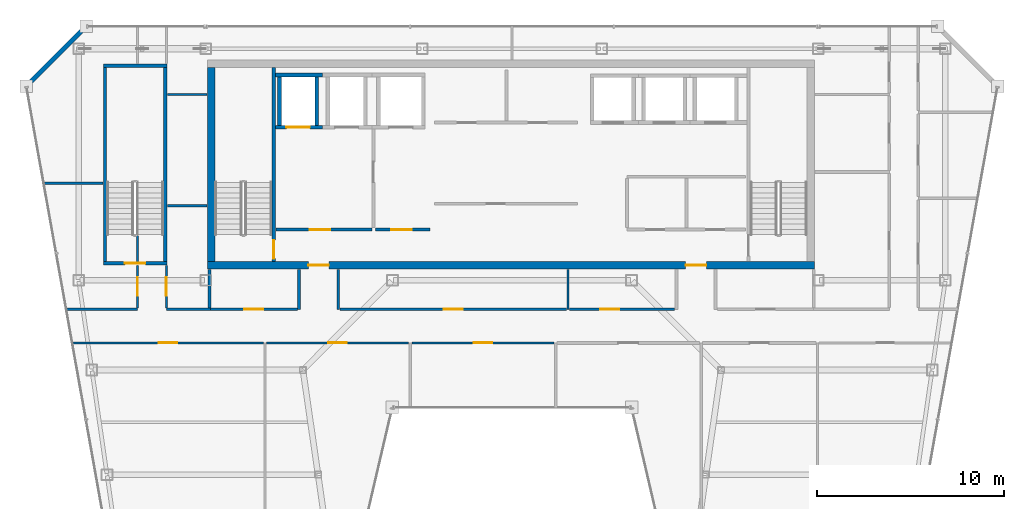
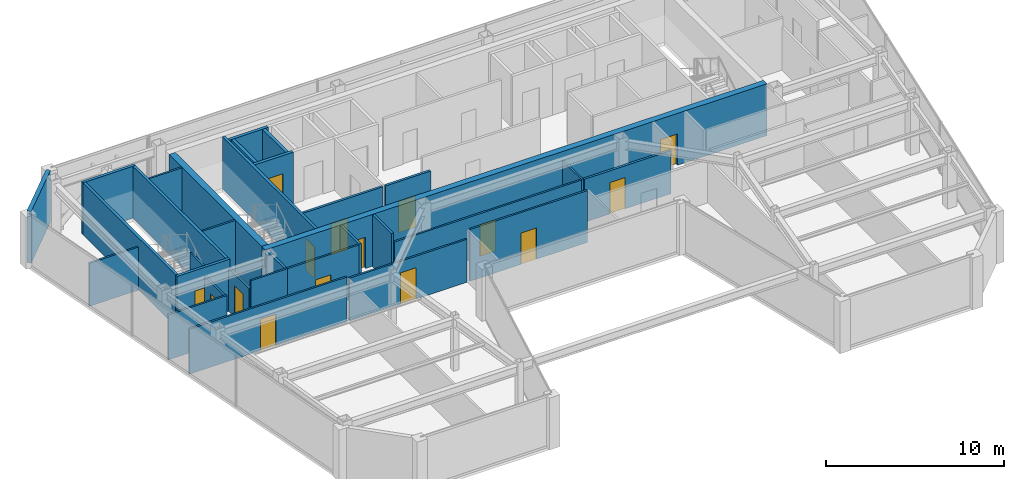
# One storey, part 27 of 32: 32 walls, 15 doors, 15 openings.
"""IFC4 building model written with IfcOpenShell, lengths in metres."""

from ifc_helpers import new_model, si_unit, direction, frame, frame_2d, origin, place, context, subcontext, project, spatial, rectangle, extrude, material, layer, layer_set, type_object, element, fill, save


model = new_model("IFC4")

# Units and contexts
model_context = context("Model", 3, precision=1e-05, world=origin(), true_north=direction((0.0, 1.0)))
body_context = subcontext(model_context, "Body", "Model", "MODEL_VIEW")
ifc_project = project(units=[si_unit("LENGTHUNIT", "METRE"), si_unit("AREAUNIT", "SQUARE_METRE"), si_unit("VOLUMEUNIT", "CUBIC_METRE"), si_unit("PLANEANGLEUNIT", "RADIAN"), si_unit("MASSUNIT", "GRAM", prefix="KILO")], contexts=[model_context])

# Site, building, storey
site_placement = place(None, origin())
site = spatial("IfcSite", under=ifc_project, at=site_placement, CompositionType="ELEMENT")
building_placement = place(site_placement, origin())
building = spatial("IfcBuilding", under=site, at=building_placement, Name="Saevonmaru Cultural Tower", CompositionType="ELEMENT")
storey_placement = place(building_placement, frame((0.0, 0.0, 261.0)))
storey = spatial("IfcBuildingStorey", under=building, at=storey_placement, Name="L61", CompositionType="ELEMENT", Elevation=261.0)

# Wall, openings, doors
ifc_material_1 = material(Name="Concrete C50/60", Category="concrete")
ifc_layer_1 = layer(ifc_material_1, 0.39990234375, Name="Concrete C50/60")
ifc_layer_set_1 = layer_set([ifc_layer_1], Name="Concrete C50/60")
wall_type_1 = type_object("IfcWallType", Name="WL-CORE-400", PredefinedType="SHEAR", material=ifc_layer_set_1)
wall_1_placement = place(storey_placement, frame((13.699951171875, 43.199951171875, 0.0), z_axis=(0.0, 0.0, 1.0), x_axis=(1.0, 0.0, 0.0)))
wall_1 = element("IfcWall", 1, at=wall_1_placement, inside=storey, type_object=wall_type_1, Name="L61 Tower RC core shear wall S", PredefinedType="SHEAR", context=body_context, shape_type="SweptSolid", body=[
    extrude(rectangle(XDim=32.5, YDim=0.39990234375, at=frame_2d((16.25, 0.0))), origin(), (0.0, 0.0, 1.0), 3.550048828125),
])
opening_1_placement = place(wall_1_placement, frame((5.39990234375, 0.0, 0.0)))
opening_1 = element("IfcOpeningElement", 2, at=opening_1_placement, cuts=wall_1, Name="Opening FD-2", PredefinedType="OPENING", context=body_context, shape_type="SweptSolid", body=[
    extrude(rectangle(XDim=1.10009765625, YDim=2.14990234375, at=frame_2d((0.550048828125, 1.074951171875))), frame((0.0, 0.2099609375, 0.0), z_axis=(0.0, -1.0, 0.0), x_axis=(1.0, 0.0, 0.0)), (0.0, 0.0, 1.0), 0.419921875),
])
opening_2_placement = place(wall_1_placement, frame((25.60009765625, 0.0, 0.0)))
opening_2 = element("IfcOpeningElement", 3, at=opening_2_placement, cuts=wall_1, Name="Opening FD-2", PredefinedType="OPENING", context=body_context, shape_type="SweptSolid", body=[
    extrude(rectangle(XDim=1.10009765625, YDim=2.14990234375, at=frame_2d((0.550048828125, 1.074951171875))), frame((0.0, 0.2099609375, 0.0), z_axis=(0.0, -1.0, 0.0), x_axis=(1.0, 0.0, 0.0)), (0.0, 0.0, 1.0), 0.419921875),
])
ifc_material_2 = material(Name="Satin Bronze Anodised Aluminium", Category="aluminium")
door_type_1 = type_object("IfcDoorType", Name="DR-FD60-1100", OperationType="SINGLE_SWING_LEFT", PredefinedType="DOOR", material=ifc_material_2)
door_1_placement = place(opening_1_placement, origin())
door_1 = element("IfcDoor", 4, at=door_1_placement, inside=storey, type_object=door_type_1, Name="L61 Core West Lobby Fire Door", OperationType="SINGLE_SWING_LEFT", OverallHeight=2.14990234375, OverallWidth=1.10009765625, PredefinedType="DOOR", context=body_context, shape_type="SweptSolid", body=[
    extrude(rectangle(XDim=1.10009765625, YDim=2.14990234375, at=frame_2d((0.550048828125, 1.074951171875))), frame((0.0, 0.02490234375, 0.0), z_axis=(0.0, -1.0, 0.0), x_axis=(1.0, 0.0, 0.0)), (0.0, 0.0, 1.0), 0.050048828125),
])
fill(opening_1, door_1)
door_2_placement = place(opening_2_placement, origin())
door_2 = element("IfcDoor", 5, at=door_2_placement, inside=storey, type_object=door_type_1, Name="L61 Core East Lobby Fire Door", OperationType="SINGLE_SWING_LEFT", OverallHeight=2.14990234375, OverallWidth=1.10009765625, PredefinedType="DOOR", context=body_context, shape_type="SweptSolid", body=[
    extrude(rectangle(XDim=1.10009765625, YDim=2.14990234375, at=frame_2d((0.550048828125, 1.074951171875))), frame((0.0, 0.02490234375, 0.0), z_axis=(0.0, -1.0, 0.0), x_axis=(1.0, 0.0, 0.0)), (0.0, 0.0, 1.0), 0.050048828125),
])
fill(opening_2, door_2)

# Wall
wall_2_placement = place(storey_placement, frame((13.89990234375, 43.39990234375, 0.0), z_axis=(0.0, 0.0, 1.0), x_axis=(0.0, 1.0, 0.0)))
element("IfcWall", 6, at=wall_2_placement, inside=storey, type_object=wall_type_1, Name="L61 Tower RC core shear wall W", PredefinedType="SHEAR", context=body_context, shape_type="SweptSolid", body=[
    extrude(rectangle(XDim=10.400146484375, YDim=0.39990234375, at=frame_2d((5.2001953125, 0.0))), origin(), (0.0, 0.0, 1.0), 3.550048828125),
])

# Wall, opening, door
ifc_material_3 = material(Name="Gypsum Fireboard Partition", Category="gypsum")
ifc_layer_2 = layer(ifc_material_3, 0.14990234375, Name="Gypsum Fireboard Partition")
ifc_layer_set_2 = layer_set([ifc_layer_2], Name="Gypsum Fireboard Partition")
wall_type_2 = type_object("IfcWallType", Name="WL-CORE-PART-150", PredefinedType="PARTITIONING", material=ifc_layer_set_2)
wall_3_placement = place(storey_placement, frame((17.360107421875, 45.1201171875, 0.0), z_axis=(0.0, 0.0, 1.0), x_axis=(1.0, 0.0, 0.0)))
wall_3 = element("IfcWall", 7, at=wall_3_placement, inside=storey, type_object=wall_type_2, Name="L61 Firefighting Lift Lobby South Wall", PredefinedType="PARTITIONING", context=body_context, shape_type="SweptSolid", body=[
    extrude(rectangle(XDim=5.139892578125, YDim=0.14990234375, at=frame_2d((2.56982421875, 0.0))), origin(), (0.0, 0.0, 1.0), 3.550048828125),
])
opening_3_placement = place(wall_3_placement, frame((1.800048828125, 0.0, 0.0)))
opening_3 = element("IfcOpeningElement", 8, at=opening_3_placement, cuts=wall_3, Name="Opening FD-2", PredefinedType="OPENING", context=body_context, shape_type="SweptSolid", body=[
    extrude(rectangle(XDim=1.10009765625, YDim=2.14990234375, at=frame_2d((0.550048828125, 1.074951171875))), frame((0.0, 0.0849609375, 0.0), z_axis=(0.0, -1.0, 0.0), x_axis=(1.0, 0.0, 0.0)), (0.0, 0.0, 1.0), 0.169921875),
])
door_3_placement = place(opening_3_placement, origin())
door_3 = element("IfcDoor", 9, at=door_3_placement, inside=storey, type_object=door_type_1, Name="L61 Firefighting Lift Lobby South Door", OperationType="SINGLE_SWING_LEFT", OverallHeight=2.14990234375, OverallWidth=1.10009765625, PredefinedType="DOOR", context=body_context, shape_type="SweptSolid", body=[
    extrude(rectangle(XDim=1.10009765625, YDim=2.14990234375, at=frame_2d((0.550048828125, 1.074951171875))), frame((0.0, 0.02490234375, 0.0), z_axis=(0.0, -1.0, 0.0), x_axis=(1.0, 0.0, 0.0)), (0.0, 0.0, 1.0), 0.050048828125),
])
fill(opening_3, door_3)

wall_4_placement = place(storey_placement, frame((22.679931640625, 45.1201171875, 0.0), z_axis=(0.0, 0.0, 1.0), x_axis=(1.0, 0.0, 0.0)))
wall_4 = element("IfcWall", 10, at=wall_4_placement, inside=storey, type_object=wall_type_2, Name="L61 Service Lift Vestibule Wall", PredefinedType="PARTITIONING", context=body_context, shape_type="SweptSolid", body=[
    extrude(rectangle(XDim=2.920166015625, YDim=0.14990234375, at=frame_2d((1.4599609375, 0.0))), origin(), (0.0, 0.0, 1.0), 3.550048828125),
])
opening_4_placement = place(wall_4_placement, frame((0.85009765625, 0.0, 0.0)))
opening_4 = element("IfcOpeningElement", 11, at=opening_4_placement, cuts=wall_4, Name="Opening FD-2", PredefinedType="OPENING", context=body_context, shape_type="SweptSolid", body=[
    extrude(rectangle(XDim=1.10009765625, YDim=2.14990234375, at=frame_2d((0.550048828125, 1.074951171875))), frame((0.0, 0.0849609375, 0.0), z_axis=(0.0, -1.0, 0.0), x_axis=(1.0, 0.0, 0.0)), (0.0, 0.0, 1.0), 0.169921875),
])
door_4_placement = place(opening_4_placement, origin())
door_4 = element("IfcDoor", 12, at=door_4_placement, inside=storey, type_object=door_type_1, Name="L61 Service Lift Vestibule Door", OperationType="SINGLE_SWING_LEFT", OverallHeight=2.14990234375, OverallWidth=1.10009765625, PredefinedType="DOOR", context=body_context, shape_type="SweptSolid", body=[
    extrude(rectangle(XDim=1.10009765625, YDim=2.14990234375, at=frame_2d((0.550048828125, 1.074951171875))), frame((0.0, 0.02490234375, 0.0), z_axis=(0.0, -1.0, 0.0), x_axis=(1.0, 0.0, 0.0)), (0.0, 0.0, 1.0), 0.050048828125),
])
fill(opening_4, door_4)

# Walls
ifc_material_4 = material(Name="Granite-Clad Precast Concrete C40/50", Category="masonry")
ifc_layer_3 = layer(ifc_material_4, 0.260009765625, Name="Granite-Clad Precast Concrete C40/50")
ifc_layer_set_3 = layer_set([ifc_layer_3], Name="Granite-Clad Precast Concrete C40/50")
wall_type_3 = type_object("IfcWallType", Name="WL-EXT-SPANDREL-260", PredefinedType="STANDARD", material=ifc_layer_set_3)
wall_5_placement = place(storey_placement, frame((7.0869140625, 55.886962890625, 0.0), z_axis=(0.0, 0.0, 1.0), x_axis=(-0.707106781187, -0.707106781187, 0.0)))
element("IfcWall", 13, at=wall_5_placement, inside=storey, type_object=wall_type_3, Name="L61 Chamfer Corner Spandrel Wall E11", PredefinedType="STANDARD", context=body_context, shape_type="SweptSolid", body=[
    extrude(rectangle(XDim=4.205810546875, YDim=0.260009765625, at=frame_2d((2.10302734375, 0.0))), origin(), (0.0, 0.0, 1.0), 3.550048828125),
])
ifc_layer_4 = layer(ifc_material_3, 0.14990234375, Name="Gypsum Fireboard Partition")
ifc_layer_set_4 = layer_set([ifc_layer_4], Name="Gypsum Fireboard Partition")
wall_type_4 = type_object("IfcWallType", Name="WL-PART-FIRE-150", PredefinedType="PARTITIONING", material=ifc_layer_set_4)
wall_6_placement = place(storey_placement, frame((13.800048828125, 40.929931640625, 0.0), z_axis=(0.0, 0.0, 1.0), x_axis=(0.0, 1.0, 0.0)))
element("IfcWall", 14, at=wall_6_placement, inside=storey, type_object=wall_type_4, Name="L61 Core Portal Side Wall W0", PredefinedType="PARTITIONING", context=body_context, shape_type="SweptSolid", body=[
    extrude(rectangle(XDim=2.050048828125, YDim=0.14990234375, at=frame_2d((1.02490234375, 0.0))), origin(), (0.0, 0.0, 1.0), 3.550048828125),
])
for number, where, z_axis, x_axis, name in (
    (15, (18.60009765625, 40.85009765625, 0.0), (0.0, 0.0, 1.0), (0.0, 1.0, 0.0), "L61 Core Portal Side Wall W1"),
    (16, (20.699951171875, 40.85009765625, 0.0), (0.0, 0.0, 1.0), (0.0, 1.0, 0.0), "L61 Core Portal Side Wall W2"),
):
    element("IfcWall", number, at=place(storey_placement, frame(where, z_axis=z_axis, x_axis=x_axis)), inside=storey, type_object=wall_type_4, Name=name, PredefinedType="PARTITIONING", context=body_context, shape_type="SweptSolid", body=[
        extrude(rectangle(XDim=2.1298828125, YDim=0.14990234375, at=frame_2d((1.06494140625, 0.0))), origin(), (0.0, 0.0, 1.0), 3.550048828125),
    ])

# Wall, opening, door
wall_7_placement = place(storey_placement, frame((33.080078125, 40.85009765625, 0.0), z_axis=(0.0, 0.0, 1.0), x_axis=(1.0, 0.0, 0.0)))
wall_7 = element("IfcWall", 17, at=wall_7_placement, inside=storey, type_object=wall_type_4, Name="L61 Acoustic Chamber Auditorium Corridor Wall", PredefinedType="PARTITIONING", context=body_context, shape_type="SweptSolid", body=[
    extrude(rectangle(XDim=5.625, YDim=0.14990234375, at=frame_2d((2.8125, 0.0))), origin(), (0.0, 0.0, 1.0), 2.947021484375),
])
opening_5_placement = place(wall_7_placement, frame((1.652099609375, 0.0, 0.0)))
opening_5 = element("IfcOpeningElement", 18, at=opening_5_placement, cuts=wall_7, Name="Opening ID-1B", PredefinedType="OPENING", context=body_context, shape_type="SweptSolid", body=[
    extrude(rectangle(XDim=1.0, YDim=2.14990234375, at=frame_2d((0.5, 1.074951171875))), frame((0.0, 0.0849609375, 0.0), z_axis=(0.0, -1.0, 0.0), x_axis=(1.0, 0.0, 0.0)), (0.0, 0.0, 1.0), 0.169921875),
])
ifc_material_5 = material(Name="Acoustic Stained Oak Timber", Category="wood")
door_type_2 = type_object("IfcDoorType", Name="DR-INT-1000", OperationType="SINGLE_SWING_RIGHT", PredefinedType="DOOR", material=ifc_material_5)
door_5_placement = place(opening_5_placement, origin())
door_5 = element("IfcDoor", 19, at=door_5_placement, inside=storey, type_object=door_type_2, Name="L61 Acoustic Chamber Auditorium Door", OperationType="SINGLE_SWING_RIGHT", OverallHeight=2.14990234375, OverallWidth=1.0, PredefinedType="DOOR", context=body_context, shape_type="SweptSolid", body=[
    extrude(rectangle(XDim=1.0, YDim=2.14990234375, at=frame_2d((0.5, 1.074951171875))), frame((0.0, 0.02490234375, 0.0), z_axis=(0.0, -1.0, 0.0), x_axis=(1.0, 0.0, 0.0)), (0.0, 0.0, 1.0), 0.050048828125),
])
fill(opening_5, door_5)

# Walls
ifc_layer_5 = layer(ifc_material_3, 0.1201171875, Name="Gypsum Fireboard Partition")
ifc_layer_set_5 = layer_set([ifc_layer_5], Name="Gypsum Fireboard Partition")
wall_type_5 = type_object("IfcWallType", Name="WL-PART-GYP-120", PredefinedType="PARTITIONING", material=ifc_layer_set_5)
wall_8_placement = place(storey_placement, frame((6.143310546875, 40.85009765625, 0.0), z_axis=(0.0, 0.0, 1.0), x_axis=(1.0, 0.0, 0.0)))
element("IfcWall", 20, at=wall_8_placement, inside=storey, type_object=wall_type_5, Name="L61 NW Wing South Wall", PredefinedType="PARTITIONING", context=body_context, shape_type="SweptSolid", body=[
    extrude(rectangle(XDim=3.806640625, YDim=0.1201171875, at=frame_2d((1.9033203125, 0.0))), origin(), (0.0, 0.0, 1.0), 3.0849609375),
])
wall_9_placement = place(storey_placement, frame((11.5, 40.85009765625, 0.0), z_axis=(0.0, 0.0, 1.0), x_axis=(1.0, 0.0, 0.0)))
element("IfcWall", 21, at=wall_9_placement, inside=storey, type_object=wall_type_5, Name="L61 NW Inner South Wall", PredefinedType="PARTITIONING", context=body_context, shape_type="SweptSolid", body=[
    extrude(rectangle(XDim=2.35009765625, YDim=0.1201171875, at=frame_2d((1.175048828125, 0.0))), origin(), (0.0, 0.0, 1.0), 3.550048828125),
])
wall_10_placement = place(storey_placement, frame((11.550048828125, 52.35009765625, 0.0), z_axis=(0.0, 0.0, 1.0), x_axis=(1.0, 0.0, 0.0)))
element("IfcWall", 22, at=wall_10_placement, inside=storey, type_object=wall_type_5, Name="L61 North-West Panorama South Wall", PredefinedType="PARTITIONING", context=body_context, shape_type="SweptSolid", body=[
    extrude(rectangle(XDim=2.1298828125, YDim=0.1201171875, at=frame_2d((1.06494140625, 0.0))), origin(), (0.0, 0.0, 1.0), 3.550048828125),
])
wall_11_placement = place(storey_placement, frame((4.935546875, 47.60009765625, 0.0), z_axis=(0.0, 0.0, 1.0), x_axis=(1.0, 0.0, 0.0)))
element("IfcWall", 23, at=wall_11_placement, inside=storey, type_object=wall_type_5, Name="L61 NW Studio Divider 1", PredefinedType="PARTITIONING", context=body_context, shape_type="SweptSolid", body=[
    extrude(rectangle(XDim=3.16455078125, YDim=0.1201171875, at=frame_2d((1.582275390625, 0.0))), origin(), (0.0, 0.0, 1.0), 2.947021484375),
])

# Wall, opening, door
wall_12_placement = place(storey_placement, frame((9.949951171875, 40.929931640625, 0.0), z_axis=(0.0, 0.0, 1.0), x_axis=(0.0, 1.0, 0.0)))
wall_12 = element("IfcWall", 24, at=wall_12_placement, inside=storey, type_object=wall_type_5, Name="L61 Museum Espresso Cafe Corridor Wall", PredefinedType="PARTITIONING", context=body_context, shape_type="SweptSolid", body=[
    extrude(rectangle(XDim=2.27001953125, YDim=0.1201171875, at=frame_2d((1.135009765625, 0.0))), origin(), (0.0, 0.0, 1.0), 2.947021484375),
])
opening_6_placement = place(wall_12_placement, frame((0.635009765625, 0.0, 0.0)))
opening_6 = element("IfcOpeningElement", 25, at=opening_6_placement, cuts=wall_12, Name="Opening ID-1B", PredefinedType="OPENING", context=body_context, shape_type="SweptSolid", body=[
    extrude(rectangle(XDim=1.0, YDim=2.14990234375, at=frame_2d((0.5, 1.074951171875))), frame((0.0, 0.070068359375, 0.0), z_axis=(0.0, -1.0, 0.0), x_axis=(1.0, 0.0, 0.0)), (0.0, 0.0, 1.0), 0.14013671875),
])
door_6_placement = place(opening_6_placement, origin())
door_6 = element("IfcDoor", 26, at=door_6_placement, inside=storey, type_object=door_type_2, Name="L61 Museum Espresso Cafe Door", OperationType="SINGLE_SWING_LEFT", OverallHeight=2.14990234375, OverallWidth=1.0, PredefinedType="DOOR", context=body_context, shape_type="SweptSolid", body=[
    extrude(rectangle(XDim=1.0, YDim=2.14990234375, at=frame_2d((0.5, 1.074951171875))), frame((0.0, 0.02490234375, 0.0), z_axis=(0.0, -1.0, 0.0), x_axis=(1.0, 0.0, 0.0)), (0.0, 0.0, 1.0), 0.050048828125),
])
fill(opening_6, door_6)

# Walls
wall_13_placement = place(storey_placement, frame((9.949951171875, 43.419921875, 0.0), z_axis=(0.0, 0.0, 1.0), x_axis=(0.0, 1.0, 0.0)))
element("IfcWall", 27, at=wall_13_placement, inside=storey, type_object=wall_type_5, Name="L61 Museum Espresso Cafe Corridor Wall (2)", PredefinedType="PARTITIONING", context=body_context, shape_type="SweptSolid", body=[
    extrude(rectangle(XDim=1.4501953125, YDim=0.1201171875, at=frame_2d((0.72509765625, 0.0))), origin(), (0.0, 0.0, 1.0), 3.550048828125),
])
wall_14_placement = place(storey_placement, frame((11.550048828125, 46.39990234375, 0.0), z_axis=(0.0, 0.0, 1.0), x_axis=(1.0, 0.0, 0.0)))
element("IfcWall", 28, at=wall_14_placement, inside=storey, type_object=wall_type_5, Name="L61 NW Inner Divider", PredefinedType="PARTITIONING", context=body_context, shape_type="SweptSolid", body=[
    extrude(rectangle(XDim=2.1298828125, YDim=0.1201171875, at=frame_2d((1.06494140625, 0.0))), origin(), (0.0, 0.0, 1.0), 3.550048828125),
])

# Wall, opening, door
wall_15_placement = place(storey_placement, frame((11.5, 40.929931640625, 0.0), z_axis=(0.0, 0.0, 1.0), x_axis=(0.0, 1.0, 0.0)))
wall_15 = element("IfcWall", 29, at=wall_15_placement, inside=storey, type_object=wall_type_5, Name="L61 Panoramic Salon Restaurant Corridor Wall", PredefinedType="PARTITIONING", context=body_context, shape_type="SweptSolid", body=[
    extrude(rectangle(XDim=2.27001953125, YDim=0.1201171875, at=frame_2d((1.135009765625, 0.0))), origin(), (0.0, 0.0, 1.0), 2.947021484375),
])
opening_7_placement = place(wall_15_placement, frame((0.635009765625, 0.0, 0.0)))
opening_7 = element("IfcOpeningElement", 30, at=opening_7_placement, cuts=wall_15, Name="Opening ID-1B", PredefinedType="OPENING", context=body_context, shape_type="SweptSolid", body=[
    extrude(rectangle(XDim=1.0, YDim=2.14990234375, at=frame_2d((0.5, 1.074951171875))), frame((0.0, 0.070068359375, 0.0), z_axis=(0.0, -1.0, 0.0), x_axis=(1.0, 0.0, 0.0)), (0.0, 0.0, 1.0), 0.14013671875),
])
door_7_placement = place(opening_7_placement, origin())
door_7 = element("IfcDoor", 31, at=door_7_placement, inside=storey, type_object=door_type_2, Name="L61 Panoramic Salon Restaurant Door", OperationType="SINGLE_SWING_RIGHT", OverallHeight=2.14990234375, OverallWidth=1.0, PredefinedType="DOOR", context=body_context, shape_type="SweptSolid", body=[
    extrude(rectangle(XDim=1.0, YDim=2.14990234375, at=frame_2d((0.5, 1.074951171875))), frame((0.0, 0.02490234375, 0.0), z_axis=(0.0, -1.0, 0.0), x_axis=(1.0, 0.0, 0.0)), (0.0, 0.0, 1.0), 0.050048828125),
])
fill(opening_7, door_7)

wall_16_placement = place(storey_placement, frame((13.85009765625, 40.85009765625, 0.0), z_axis=(0.0, 0.0, 1.0), x_axis=(1.0, 0.0, 0.0)))
wall_16 = element("IfcWall", 32, at=wall_16_placement, inside=storey, type_object=wall_type_5, Name="L61 Museum Espresso Cafe Corridor Wall", PredefinedType="PARTITIONING", context=body_context, shape_type="SweptSolid", body=[
    extrude(rectangle(XDim=4.65478515625, YDim=0.1201171875, at=frame_2d((2.327392578125, 0.0))), origin(), (0.0, 0.0, 1.0), 3.550048828125),
])
opening_8_placement = place(wall_16_placement, frame((1.826904296875, 0.0, 0.0)))
opening_8 = element("IfcOpeningElement", 33, at=opening_8_placement, cuts=wall_16, Name="Opening ID-1B", PredefinedType="OPENING", context=body_context, shape_type="SweptSolid", body=[
    extrude(rectangle(XDim=1.0, YDim=2.14990234375, at=frame_2d((0.5, 1.074951171875))), frame((0.0, 0.070068359375, 0.0), z_axis=(0.0, -1.0, 0.0), x_axis=(1.0, 0.0, 0.0)), (0.0, 0.0, 1.0), 0.14013671875),
])
door_8_placement = place(opening_8_placement, origin())
door_8 = element("IfcDoor", 34, at=door_8_placement, inside=storey, type_object=door_type_2, Name="L61 Museum Espresso Cafe Door", OperationType="SINGLE_SWING_RIGHT", OverallHeight=2.14990234375, OverallWidth=1.0, PredefinedType="DOOR", context=body_context, shape_type="SweptSolid", body=[
    extrude(rectangle(XDim=1.0, YDim=2.14990234375, at=frame_2d((0.5, 1.074951171875))), frame((0.0, 0.02490234375, 0.0), z_axis=(0.0, -1.0, 0.0), x_axis=(1.0, 0.0, 0.0)), (0.0, 0.0, 1.0), 0.050048828125),
])
fill(opening_8, door_8)

# Wall
wall_17_placement = place(storey_placement, frame((33.0, 40.85009765625, 0.0), z_axis=(0.0, 0.0, 1.0), x_axis=(0.0, 1.0, 0.0)))
element("IfcWall", 35, at=wall_17_placement, inside=storey, type_object=wall_type_5, Name="L61 Spine Alcove Split", PredefinedType="PARTITIONING", context=body_context, shape_type="SweptSolid", body=[
    extrude(rectangle(XDim=2.1298828125, YDim=0.1201171875, at=frame_2d((1.06494140625, 0.0))), origin(), (0.0, 0.0, 1.0), 2.947021484375),
])

# Wall, opening, door
wall_18_placement = place(storey_placement, frame((20.794921875, 40.85009765625, 0.0), z_axis=(0.0, 0.0, 1.0), x_axis=(1.0, 0.0, 0.0)))
wall_18 = element("IfcWall", 36, at=wall_18_placement, inside=storey, type_object=wall_type_5, Name="L61 Museum Espresso Cafe Corridor Wall", PredefinedType="PARTITIONING", context=body_context, shape_type="SweptSolid", body=[
    extrude(rectangle(XDim=12.125, YDim=0.1201171875, at=frame_2d((6.0625, 0.0))), origin(), (0.0, 0.0, 1.0), 2.947021484375),
])
opening_9_placement = place(wall_18_placement, frame((5.56201171875, 0.0, 0.0)))
opening_9 = element("IfcOpeningElement", 37, at=opening_9_placement, cuts=wall_18, Name="Opening ID-1B", PredefinedType="OPENING", context=body_context, shape_type="SweptSolid", body=[
    extrude(rectangle(XDim=1.0, YDim=2.14990234375, at=frame_2d((0.5, 1.074951171875))), frame((0.0, 0.070068359375, 0.0), z_axis=(0.0, -1.0, 0.0), x_axis=(1.0, 0.0, 0.0)), (0.0, 0.0, 1.0), 0.14013671875),
])
door_9_placement = place(opening_9_placement, origin())
door_9 = element("IfcDoor", 38, at=door_9_placement, inside=storey, type_object=door_type_2, Name="L61 Museum Espresso Cafe Door", OperationType="SINGLE_SWING_LEFT", OverallHeight=2.14990234375, OverallWidth=1.0, PredefinedType="DOOR", context=body_context, shape_type="SweptSolid", body=[
    extrude(rectangle(XDim=1.0, YDim=2.14990234375, at=frame_2d((0.5, 1.074951171875))), frame((0.0, 0.02490234375, 0.0), z_axis=(0.0, -1.0, 0.0), x_axis=(1.0, 0.0, 0.0)), (0.0, 0.0, 1.0), 0.050048828125),
])
fill(opening_9, door_9)

wall_19_placement = place(storey_placement, frame((6.465576171875, 39.050048828125, 0.0), z_axis=(0.0, 0.0, 1.0), x_axis=(1.0, 0.0, 0.0)))
wall_19 = element("IfcWall", 39, at=wall_19_placement, inside=storey, type_object=wall_type_5, Name="L61 Museum Espresso Cafe Corridor Wall", PredefinedType="PARTITIONING", context=body_context, shape_type="SweptSolid", body=[
    extrude(rectangle(XDim=10.224365234375, YDim=0.1201171875, at=frame_2d((5.1123046875, 0.0))), origin(), (0.0, 0.0, 1.0), 3.0849609375),
])
opening_10_placement = place(wall_19_placement, frame((4.612060546875, 0.0, 0.0)))
opening_10 = element("IfcOpeningElement", 40, at=opening_10_placement, cuts=wall_19, Name="Opening ID-1B", PredefinedType="OPENING", context=body_context, shape_type="SweptSolid", body=[
    extrude(rectangle(XDim=1.0, YDim=2.14990234375, at=frame_2d((0.5, 1.074951171875))), frame((0.0, 0.070068359375, 0.0), z_axis=(0.0, -1.0, 0.0), x_axis=(1.0, 0.0, 0.0)), (0.0, 0.0, 1.0), 0.14013671875),
])
door_10_placement = place(opening_10_placement, origin())
door_10 = element("IfcDoor", 41, at=door_10_placement, inside=storey, type_object=door_type_2, Name="L61 Museum Espresso Cafe Door", OperationType="SINGLE_SWING_RIGHT", OverallHeight=2.14990234375, OverallWidth=1.0, PredefinedType="DOOR", context=body_context, shape_type="SweptSolid", body=[
    extrude(rectangle(XDim=1.0, YDim=2.14990234375, at=frame_2d((0.5, 1.074951171875))), frame((0.0, 0.02490234375, 0.0), z_axis=(0.0, -1.0, 0.0), x_axis=(1.0, 0.0, 0.0)), (0.0, 0.0, 1.0), 0.050048828125),
])
fill(opening_10, door_10)

wall_20_placement = place(storey_placement, frame((16.85009765625, 39.050048828125, 0.0), z_axis=(0.0, 0.0, 1.0), x_axis=(1.0, 0.0, 0.0)))
wall_20 = element("IfcWall", 42, at=wall_20_placement, inside=storey, type_object=wall_type_5, Name="L61 Panoramic Salon Restaurant Corridor Wall", PredefinedType="PARTITIONING", context=body_context, shape_type="SweptSolid", body=[
    extrude(rectangle(XDim=7.6123046875, YDim=0.1201171875, at=frame_2d((3.80615234375, 0.0))), origin(), (0.0, 0.0, 1.0), 2.947021484375),
])
opening_11_placement = place(wall_20_placement, frame((3.305908203125, 0.0, 0.0)))
opening_11 = element("IfcOpeningElement", 43, at=opening_11_placement, cuts=wall_20, Name="Opening ID-1B", PredefinedType="OPENING", context=body_context, shape_type="SweptSolid", body=[
    extrude(rectangle(XDim=1.0, YDim=2.14990234375, at=frame_2d((0.5, 1.074951171875))), frame((0.0, 0.070068359375, 0.0), z_axis=(0.0, -1.0, 0.0), x_axis=(1.0, 0.0, 0.0)), (0.0, 0.0, 1.0), 0.14013671875),
])
door_11_placement = place(opening_11_placement, origin())
door_11 = element("IfcDoor", 44, at=door_11_placement, inside=storey, type_object=door_type_2, Name="L61 Panoramic Salon Restaurant Door", OperationType="SINGLE_SWING_LEFT", OverallHeight=2.14990234375, OverallWidth=1.0, PredefinedType="DOOR", context=body_context, shape_type="SweptSolid", body=[
    extrude(rectangle(XDim=1.0, YDim=2.14990234375, at=frame_2d((0.5, 1.074951171875))), frame((0.0, 0.02490234375, 0.0), z_axis=(0.0, -1.0, 0.0), x_axis=(1.0, 0.0, 0.0)), (0.0, 0.0, 1.0), 0.050048828125),
])
fill(opening_11, door_11)

wall_21_placement = place(storey_placement, frame((24.637451171875, 39.050048828125, 0.0), z_axis=(0.0, 0.0, 1.0), x_axis=(1.0, 0.0, 0.0)))
wall_21 = element("IfcWall", 45, at=wall_21_placement, inside=storey, type_object=wall_type_5, Name="L61 Terrace Overlook Cafe Corridor Wall", PredefinedType="PARTITIONING", context=body_context, shape_type="SweptSolid", body=[
    extrude(rectangle(XDim=7.62255859375, YDim=0.1201171875, at=frame_2d((3.811279296875, 0.0))), origin(), (0.0, 0.0, 1.0), 3.550048828125),
])
opening_12_placement = place(wall_21_placement, frame((3.31103515625, 0.0, 0.0)))
opening_12 = element("IfcOpeningElement", 46, at=opening_12_placement, cuts=wall_21, Name="Opening ID-1B", PredefinedType="OPENING", context=body_context, shape_type="SweptSolid", body=[
    extrude(rectangle(XDim=1.0, YDim=2.14990234375, at=frame_2d((0.5, 1.074951171875))), frame((0.0, 0.070068359375, 0.0), z_axis=(0.0, -1.0, 0.0), x_axis=(1.0, 0.0, 0.0)), (0.0, 0.0, 1.0), 0.14013671875),
])
door_12_placement = place(opening_12_placement, origin())
door_12 = element("IfcDoor", 47, at=door_12_placement, inside=storey, type_object=door_type_2, Name="L61 Terrace Overlook Cafe Door", OperationType="SINGLE_SWING_RIGHT", OverallHeight=2.14990234375, OverallWidth=1.0, PredefinedType="DOOR", context=body_context, shape_type="SweptSolid", body=[
    extrude(rectangle(XDim=1.0, YDim=2.14990234375, at=frame_2d((0.5, 1.074951171875))), frame((0.0, 0.02490234375, 0.0), z_axis=(0.0, -1.0, 0.0), x_axis=(1.0, 0.0, 0.0)), (0.0, 0.0, 1.0), 0.050048828125),
])
fill(opening_12, door_12)

ifc_material_6 = material(Name="Concrete C40/50", Category="concrete")
ifc_layer_6 = layer(ifc_material_6, 0.199951171875, Name="Concrete C40/50")
ifc_layer_set_6 = layer_set([ifc_layer_6], Name="Concrete C40/50")
wall_type_6 = type_object("IfcWallType", Name="WL-SHAFT-200", PredefinedType="SHEAR", material=ifc_layer_set_6)
wall_22_placement = place(storey_placement, frame((17.330078125, 50.60009765625, 0.0), z_axis=(0.0, 0.0, 1.0), x_axis=(1.0, 0.0, 0.0)))
wall_22 = element("IfcWall", 48, at=wall_22_placement, inside=storey, type_object=wall_type_6, Name="L61 Lift FFL-1 Hoistway Wall S", PredefinedType="SHEAR", context=body_context, shape_type="SweptSolid", body=[
    extrude(rectangle(XDim=2.52001953125, YDim=0.199951171875, at=frame_2d((1.260009765625, 0.0))), origin(), (0.0, 0.0, 1.0), 3.550048828125),
])
opening_13_placement = place(wall_22_placement, frame((0.594970703125, 0.0, 0.0)))
opening_13 = element("IfcOpeningElement", 49, at=opening_13_placement, cuts=wall_22, Name="Opening LD-2", PredefinedType="OPENING", context=body_context, shape_type="SweptSolid", body=[
    extrude(rectangle(XDim=1.25, YDim=2.300048828125, at=frame_2d((0.625, 1.14990234375))), frame((0.0, 0.10986328125, 0.0), z_axis=(0.0, -1.0, 0.0), x_axis=(1.0, 0.0, 0.0)), (0.0, 0.0, 1.0), 0.219970703125),
])
ifc_material_7 = material(Name="Stainless Steel 316", Category="steel")
door_type_3 = type_object("IfcDoorType", Name="DR-LIFT-1250", OperationType="SLIDING_TO_LEFT", PredefinedType="DOOR", material=ifc_material_7)
door_13_placement = place(opening_13_placement, origin())
door_13 = element("IfcDoor", 50, at=door_13_placement, inside=storey, type_object=door_type_3, Name="L61 Lift FFL-1 Sliding Landing Door", OperationType="SLIDING_TO_LEFT", OverallHeight=2.300048828125, OverallWidth=1.25, PredefinedType="DOOR", context=body_context, shape_type="SweptSolid", body=[
    extrude(rectangle(XDim=1.25, YDim=2.300048828125, at=frame_2d((0.625, 1.14990234375))), frame((0.0, 0.02490234375, 0.0), z_axis=(0.0, -1.0, 0.0), x_axis=(1.0, 0.0, 0.0)), (0.0, 0.0, 1.0), 0.050048828125),
])
fill(opening_13, door_13)

# Walls
wall_23_placement = place(storey_placement, frame((17.330078125, 53.39990234375, 0.0), z_axis=(0.0, 0.0, 1.0), x_axis=(1.0, 0.0, 0.0)))
element("IfcWall", 51, at=wall_23_placement, inside=storey, type_object=wall_type_6, Name="L61 Lift FFL-1 Hoistway Wall N", PredefinedType="SHEAR", context=body_context, shape_type="SweptSolid", body=[
    extrude(rectangle(XDim=2.52001953125, YDim=0.199951171875, at=frame_2d((1.260009765625, 0.0))), origin(), (0.0, 0.0, 1.0), 3.550048828125),
])
for number, where, z_axis, x_axis, name in (
    (52, (17.550048828125, 50.699951171875, 0.0), (0.0, 0.0, 1.0), (0.0, 1.0, 0.0), "L61 Lift FFL-1 Hoistway Wall W"),
    (53, (19.550048828125, 50.699951171875, 0.0), (0.0, 0.0, 1.0), (0.0, 1.0, 0.0), "L61 Lift FFL-1 Hoistway Wall E"),
):
    element("IfcWall", number, at=place(storey_placement, frame(where, z_axis=z_axis, x_axis=x_axis)), inside=storey, type_object=wall_type_6, Name=name, PredefinedType="SHEAR", context=body_context, shape_type="SweptSolid", body=[
        extrude(rectangle(XDim=2.60009765625, YDim=0.199951171875, at=frame_2d((1.300048828125, 0.0))), origin(), (0.0, 0.0, 1.0), 3.550048828125),
    ])

# Wall, opening, door
ifc_layer_7 = layer(ifc_material_6, 0.179931640625, Name="Concrete C40/50")
ifc_layer_set_7 = layer_set([ifc_layer_7], Name="Concrete C40/50")
wall_type_7 = type_object("IfcWallType", Name="WL-STSHAFT-180", PredefinedType="SHEAR", material=ifc_layer_set_7)
wall_24_placement = place(storey_placement, frame((17.239990234375, 43.39990234375, 0.0), z_axis=(0.0, 0.0, 1.0), x_axis=(0.0, 1.0, 0.0)))
wall_24 = element("IfcWall", 54, at=wall_24_placement, inside=storey, type_object=wall_type_7, Name="L61 Stair ST-1 Structural Shaft Wall 1", PredefinedType="SHEAR", context=body_context, shape_type="SweptSolid", body=[
    extrude(rectangle(XDim=10.400146484375, YDim=0.179931640625, at=frame_2d((5.2001953125, 0.0))), origin(), (0.0, 0.0, 1.0), 3.550048828125),
])
opening_14_placement = place(wall_24_placement, frame((0.159912109375, 0.0, 0.0)))
opening_14 = element("IfcOpeningElement", 55, at=opening_14_placement, cuts=wall_24, Name="Opening FD-3", PredefinedType="OPENING", context=body_context, shape_type="SweptSolid", body=[
    extrude(rectangle(XDim=1.0, YDim=2.14990234375, at=frame_2d((0.5, 1.074951171875))), frame((0.0, 0.10009765625, 0.0), z_axis=(0.0, -1.0, 0.0), x_axis=(1.0, 0.0, 0.0)), (0.0, 0.0, 1.0), 0.199951171875),
])
door_type_4 = type_object("IfcDoorType", Name="DR-FD60-1000", OperationType="SINGLE_SWING_RIGHT", PredefinedType="DOOR", material=ifc_material_2)
door_14_placement = place(opening_14_placement, origin())
door_14 = element("IfcDoor", 56, at=door_14_placement, inside=storey, type_object=door_type_4, Name="L61 Protected Stair ST-1 Fire Door", OperationType="SINGLE_SWING_RIGHT", OverallHeight=2.14990234375, OverallWidth=1.0, PredefinedType="DOOR", context=body_context, shape_type="SweptSolid", body=[
    extrude(rectangle(XDim=1.0, YDim=2.14990234375, at=frame_2d((0.5, 1.074951171875))), frame((0.0, 0.02490234375, 0.0), z_axis=(0.0, -1.0, 0.0), x_axis=(1.0, 0.0, 0.0)), (0.0, 0.0, 1.0), 0.050048828125),
])
fill(opening_14, door_14)

wall_25_placement = place(storey_placement, frame((8.1201171875, 43.31005859375, 0.0), z_axis=(0.0, 0.0, 1.0), x_axis=(1.0, 0.0, 0.0)))
wall_25 = element("IfcWall", 57, at=wall_25_placement, inside=storey, type_object=wall_type_7, Name="L61 Stair ST-3 Structural Shaft Wall 1", PredefinedType="SHEAR", context=body_context, shape_type="SweptSolid", body=[
    extrude(rectangle(XDim=3.409912109375, YDim=0.179931640625, at=frame_2d((1.705078125, 0.0))), origin(), (0.0, 0.0, 1.0), 3.550048828125),
])
opening_15_placement = place(wall_25_placement, frame((1.14990234375, 0.0, 0.0)))
opening_15 = element("IfcOpeningElement", 58, at=opening_15_placement, cuts=wall_25, Name="Opening FD-2", PredefinedType="OPENING", context=body_context, shape_type="SweptSolid", body=[
    extrude(rectangle(XDim=1.10009765625, YDim=2.14990234375, at=frame_2d((0.550048828125, 1.074951171875))), frame((0.0, 0.10009765625, 0.0), z_axis=(0.0, -1.0, 0.0), x_axis=(1.0, 0.0, 0.0)), (0.0, 0.0, 1.0), 0.199951171875),
])
door_15_placement = place(opening_15_placement, origin())
door_15 = element("IfcDoor", 59, at=door_15_placement, inside=storey, type_object=door_type_1, Name="L61 Protected Stair ST-3 Fire Door", OperationType="SINGLE_SWING_LEFT", OverallHeight=2.14990234375, OverallWidth=1.10009765625, PredefinedType="DOOR", context=body_context, shape_type="SweptSolid", body=[
    extrude(rectangle(XDim=1.10009765625, YDim=2.14990234375, at=frame_2d((0.550048828125, 1.074951171875))), frame((0.0, 0.02490234375, 0.0), z_axis=(0.0, -1.0, 0.0), x_axis=(1.0, 0.0, 0.0)), (0.0, 0.0, 1.0), 0.050048828125),
])
fill(opening_15, door_15)

# Walls
wall_26_placement = place(storey_placement, frame((11.43994140625, 43.39990234375, 0.0), z_axis=(0.0, 0.0, 1.0), x_axis=(0.0, 1.0, 0.0)))
element("IfcWall", 60, at=wall_26_placement, inside=storey, type_object=wall_type_7, Name="L61 Stair ST-3 Structural Shaft Wall 2", PredefinedType="SHEAR", context=body_context, shape_type="SweptSolid", body=[
    extrude(rectangle(XDim=10.400146484375, YDim=0.179931640625, at=frame_2d((5.2001953125, 0.0))), origin(), (0.0, 0.0, 1.0), 3.550048828125),
])
wall_27_placement = place(storey_placement, frame((11.530029296875, 53.889892578125, 0.0), z_axis=(0.0, 0.0, 1.0), x_axis=(-1.0, 0.0, 0.0)))
element("IfcWall", 61, at=wall_27_placement, inside=storey, type_object=wall_type_7, Name="L61 Stair ST-3 Structural Shaft Wall 3", PredefinedType="SHEAR", context=body_context, shape_type="SweptSolid", body=[
    extrude(rectangle(XDim=3.409912109375, YDim=0.179931640625, at=frame_2d((1.705078125, 0.0))), origin(), (0.0, 0.0, 1.0), 3.550048828125),
])
wall_28_placement = place(storey_placement, frame((8.2099609375, 53.800048828125, 0.0), z_axis=(0.0, 0.0, 1.0), x_axis=(0.0, -1.0, 0.0)))
element("IfcWall", 62, at=wall_28_placement, inside=storey, type_object=wall_type_7, Name="L61 Stair ST-3 Structural Shaft Wall 4", PredefinedType="SHEAR", context=body_context, shape_type="SweptSolid", body=[
    extrude(rectangle(XDim=10.400146484375, YDim=0.179931640625, at=frame_2d((5.2001953125, 0.0))), origin(), (0.0, 0.0, 1.0), 3.550048828125),
])

save(model, "model.ifc")
